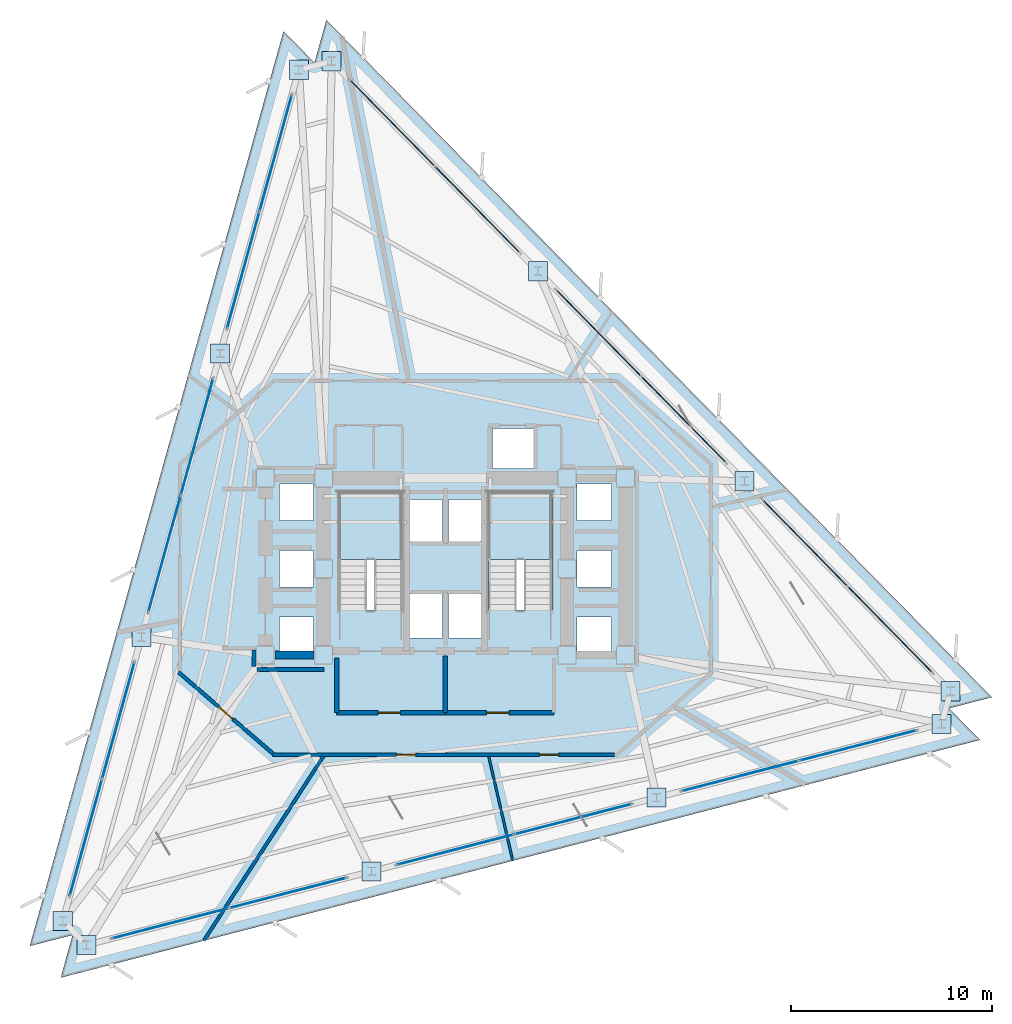
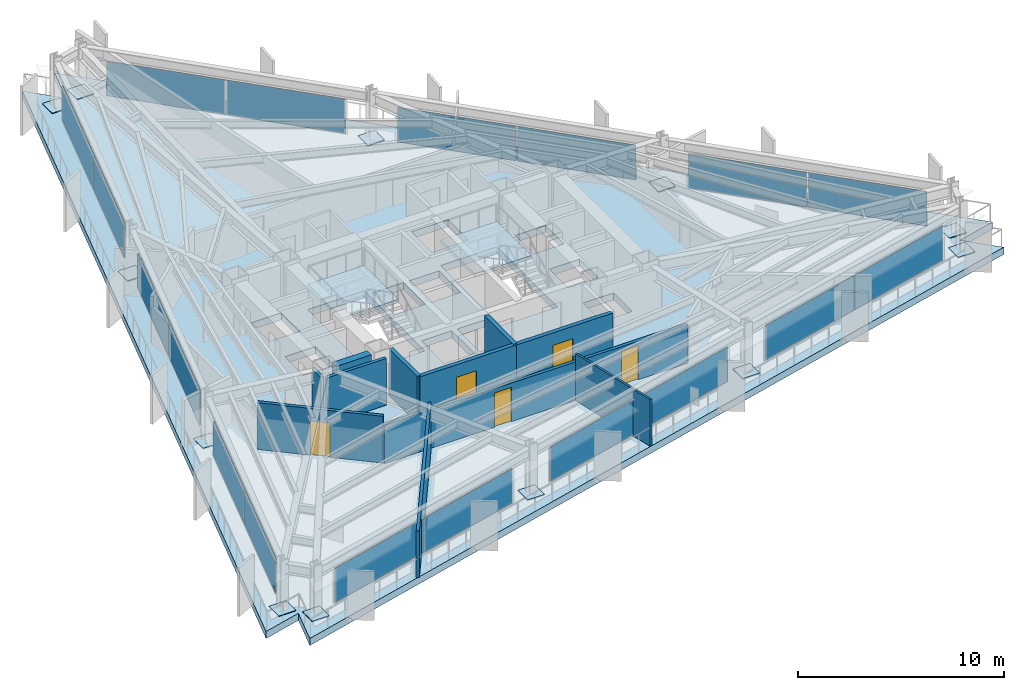
# One storey, part 6 of 11: 30 plates, 11 walls, 5 doors, 3 slabs, 5 openings, 11 elements without a shape of their own.
"""IFC4 building model written with IfcOpenShell, lengths in metres."""

import ifcopenshell
import ifcopenshell.guid

model = None  # the IFC model being written
_history = None  # IfcOwnerHistory: only IFC2X3 demands one
_inside = {}  # id of a spatial element -> (the spatial element, [elements in it])
_under = {}  # id of a project, library or spatial element -> (it, [spatial elements below it])
_declared = {}  # id of a project -> (the project, [libraries it declares])
_typed = {}  # id of a type object -> (the type object, [elements of that type])
_made_of = {}  # id of a material, layer set ... -> (it, [elements and type objects made of it])


def new_model(schema):
    """Start an empty IFC model of exactly this schema.

    Asked for "IFC4X3", IfcOpenShell would pick the latest addendum, in which some entities
    have other attributes; the version numbers below select the first issue.
    IFC2X3 requires an IfcOwnerHistory on every rooted entity: one is made here for all.
    """
    global model, _history
    if schema == "IFC4X3":
        model = ifcopenshell.file(schema_version=(4, 3, 0, 0))
    else:
        model = ifcopenshell.file(schema=schema)
    _inside.clear()
    _under.clear()
    _declared.clear()
    _typed.clear()
    _made_of.clear()
    _history = None
    if model.schema == "IFC2X3":
        org = make("IfcOrganization", Name="unknown")
        user = make(
            "IfcPersonAndOrganization",
            ThePerson=make("IfcPerson", FamilyName="unknown"),
            TheOrganization=org,
        )
        app = make(
            "IfcApplication",
            ApplicationDeveloper=org,
            Version="unknown",
            ApplicationFullName="unknown",
            ApplicationIdentifier="unknown",
        )
        _history = make(
            "IfcOwnerHistory",
            OwningUser=user,
            OwningApplication=app,
            ChangeAction="ADDED",
            CreationDate=0,
        )
    return model


def make(cls, **values):
    """One entity of the class cls with the attributes given. An attribute that is None is left unset."""
    return model.create_entity(
        cls, **{name: value for name, value in values.items() if value is not None}
    )


def rooted(cls, **values):
    """An entity with a GlobalId (a new one), such as an element, a storey or a relation."""
    return make(cls, GlobalId=ifcopenshell.guid.new(), OwnerHistory=_history, **values)


def si_unit(unit_type, name, prefix=None):
    """IfcSIUnit, for example si_unit("LENGTHUNIT", "METRE", prefix="MILLI")."""
    return make("IfcSIUnit", UnitType=unit_type, Prefix=prefix, Name=name)


def assignment(units):
    """IfcUnitAssignment: the units of a project."""
    return None if units is None else make("IfcUnitAssignment", Units=units)


def point(xyz):
    """IfcCartesianPoint."""
    return None if xyz is None else make("IfcCartesianPoint", Coordinates=xyz)


def direction(xyz):
    """IfcDirection."""
    return None if xyz is None else make("IfcDirection", DirectionRatios=xyz)


def frame(location, z_axis=None, x_axis=None):
    """IfcAxis2Placement3D, a coordinate frame: its origin and axes. An axis left out is left unset."""
    return make(
        "IfcAxis2Placement3D",
        Location=point(location),
        Axis=direction(z_axis),
        RefDirection=direction(x_axis),
    )


def frame_2d(location, x_axis=None):
    """IfcAxis2Placement2D, a coordinate frame in the plane: its origin and x axis."""
    return make(
        "IfcAxis2Placement2D", Location=point(location), RefDirection=direction(x_axis)
    )


def origin():
    """The frame at (0, 0, 0) with its axes left unset."""
    return frame((0.0, 0.0, 0.0))


def origin_2d():
    """The frame at (0, 0) in the plane with its x axis left unset."""
    return frame_2d((0.0, 0.0))


def place(relative_to, where):
    """IfcLocalPlacement: puts the frame where relative to a parent placement (None: the world)."""
    return make(
        "IfcLocalPlacement", PlacementRelTo=relative_to, RelativePlacement=where
    )


def context(
    kind, dimensions, precision=None, world=None, true_north=None, identifier=None
):
    """IfcGeometricRepresentationContext, for example the 3D "Model" context."""
    return make(
        "IfcGeometricRepresentationContext",
        ContextIdentifier=identifier,
        ContextType=kind,
        CoordinateSpaceDimension=dimensions,
        Precision=precision,
        WorldCoordinateSystem=world,
        TrueNorth=true_north,
    )


def subcontext(parent, identifier, kind, view, scale=None):
    """IfcGeometricRepresentationSubContext, for example "Body" below "Model"."""
    return make(
        "IfcGeometricRepresentationSubContext",
        ContextIdentifier=identifier,
        ContextType=kind,
        ParentContext=parent,
        TargetScale=scale,
        TargetView=view,
    )


def project(units=None, contexts=None):
    """IfcProject with its units and contexts."""
    return rooted(
        "IfcProject",
        Name="project",
        RepresentationContexts=contexts,
        UnitsInContext=assignment(units),
    )


def spatial(cls, under=None, at=None, **own):
    """A site, building, storey or space (cls), placed at a placement, below another one or the project."""
    s = rooted(cls, ObjectPlacement=at, **own)
    if under is not None:
        _under.setdefault(under.id(), (under, []))[1].append(s)
    return s


def polyline(points):
    """IfcPolyline through the points."""
    return make("IfcPolyline", Points=[point(p) for p in points])


def profile(cls, at=None, kind="AREA", **sizes):
    """A parametric profile (cls). Its sizes go by their IFC names, for example OverallWidth=200.0."""
    return make(cls, ProfileType=kind, Position=at, **sizes)


def rectangle(**sizes):
    """IfcRectangleProfileDef."""
    return profile("IfcRectangleProfileDef", **sizes)


def outline(outer, holes=None, kind="AREA"):
    """IfcArbitraryClosedProfileDef: a profile drawn as a closed curve; with holes, ...WithVoids."""
    if holes is None:
        return make("IfcArbitraryClosedProfileDef", ProfileType=kind, OuterCurve=outer)
    return make(
        "IfcArbitraryProfileDefWithVoids",
        ProfileType=kind,
        OuterCurve=outer,
        InnerCurves=holes,
    )


def extrude(swept, where, along, depth):
    """IfcExtrudedAreaSolid: the profile swept, set in the frame where, extruded along a direction by depth."""
    return make(
        "IfcExtrudedAreaSolid",
        SweptArea=swept,
        Position=where,
        ExtrudedDirection=direction(along),
        Depth=depth,
    )


def shape(context_of_items, identifier, shape_type, items):
    """IfcShapeRepresentation: the items that make up one representation, for example the "Body"."""
    return make(
        "IfcShapeRepresentation",
        ContextOfItems=context_of_items,
        RepresentationIdentifier=identifier,
        RepresentationType=shape_type,
        Items=items,
    )


def material(Name=None, Category=None):
    """IfcMaterial."""
    return make("IfcMaterial", Name=Name, Category=Category)


def layer(
    of_material, thickness, ventilated=None, Name=None, Category=None, Priority=None
):
    """IfcMaterialLayer: one layer of a wall or slab, of a material (None: an air gap)."""
    return make(
        "IfcMaterialLayer",
        Material=of_material,
        LayerThickness=thickness,
        IsVentilated=ventilated,
        Name=Name,
        Category=Category,
        Priority=Priority,
    )


def layer_set(layers, Name=None):
    """IfcMaterialLayerSet."""
    return make("IfcMaterialLayerSet", MaterialLayers=layers, LayerSetName=Name)


def made_of(thing, what):
    """Note that an element or type object is made of a material, layer set ...; save() writes the relation."""
    if what is not None:
        _made_of.setdefault(what.id(), (what, []))[1].append(thing)
    return thing


def type_object(cls, material=None, **own):
    """A type object (cls), such as IfcWallType, which elements share."""
    return made_of(rooted(cls, **own), material)


def element(
    cls,
    number,
    at=None,
    inside=None,
    cuts=None,
    type_object=None,
    material=None,
    context=None,
    identifier="Body",
    shape_type=None,
    held_by="IfcProductDefinitionShape",
    body=None,
    shapes=None,
    **own,
):
    """One element of the class cls, such as IfcWall. Its Tag is "e" and its number.

    at: its placement. inside: the storey or other place that contains it. cuts: it is an
    opening in that element (IfcRelVoidsElement). A single representation is given by context,
    identifier, shape_type and body (its items); several are given by shapes. held_by: the class
    of the entity that holds the representations. save() writes the other relations.
    """
    e = rooted(cls, Tag="e%d" % number, ObjectPlacement=at, **own)
    if body is not None:
        shapes = [shape(context, identifier, shape_type, body)]
    if shapes is not None:
        e.Representation = make(held_by, Representations=shapes)
    if inside is not None:
        _inside.setdefault(inside.id(), (inside, []))[1].append(e)
    if cuts is not None:
        rooted(
            "IfcRelVoidsElement", RelatingBuildingElement=cuts, RelatedOpeningElement=e
        )
    if type_object is not None:
        _typed.setdefault(type_object.id(), (type_object, []))[1].append(e)
    return made_of(e, material)


def fill(opening, filler):
    """IfcRelFillsElement: the door or window that sits in an opening."""
    return rooted(
        "IfcRelFillsElement",
        RelatingOpeningElement=opening,
        RelatedBuildingElement=filler,
    )


def aggregate(whole, parts):
    """IfcRelAggregates: a whole, such as a stair, and the parts it consists of."""
    return rooted("IfcRelAggregates", RelatingObject=whole, RelatedObjects=parts)


def save(model, path):
    """Write the relations noted so far, then the file.

    IfcRelAggregates (storeys below a building ...), IfcRelContainedInSpatialStructure (elements
    in a storey), IfcRelDefinesByType, IfcRelAssociatesMaterial and IfcRelDeclares: one each for
    every whole, place, type object, material and project.
    """
    for whole, parts in _under.values():
        aggregate(whole, parts)
    for where, things in _inside.values():
        rooted(
            "IfcRelContainedInSpatialStructure",
            RelatedElements=things,
            RelatingStructure=where,
        )
    for kind, things in _typed.values():
        rooted("IfcRelDefinesByType", RelatedObjects=things, RelatingType=kind)
    for what, things in _made_of.values():
        rooted("IfcRelAssociatesMaterial", RelatedObjects=things, RelatingMaterial=what)
    for by, libraries in _declared.values():
        rooted("IfcRelDeclares", RelatingContext=by, RelatedDefinitions=libraries)
    model.write(path)


model = new_model("IFC4")

# Units and contexts
model_context = context("Model", 3, precision=1e-05, world=origin(), true_north=direction((0.0, 1.0)))
body_context = subcontext(model_context, "Body", "Model", "MODEL_VIEW")
ifc_project = project(units=[si_unit("LENGTHUNIT", "METRE"), si_unit("AREAUNIT", "SQUARE_METRE"), si_unit("VOLUMEUNIT", "CUBIC_METRE"), si_unit("PLANEANGLEUNIT", "RADIAN"), si_unit("MASSUNIT", "GRAM", prefix="KILO")], contexts=[model_context])

# Site, building, storey
site_placement = place(None, origin())
site = spatial("IfcSite", under=ifc_project, at=site_placement, CompositionType="ELEMENT")
building_placement = place(site_placement, origin())
building = spatial("IfcBuilding", under=site, at=building_placement, Name="Rocaltana Carrier Exchange", CompositionType="ELEMENT")
storey_placement = place(building_placement, frame((0.0, 0.0, 76.47998046875)))
storey = spatial("IfcBuildingStorey", under=building, at=storey_placement, Name="L23", CompositionType="ELEMENT", Elevation=76.47998046875)

# Slab
ifc_material_1 = material(Name="Concrete C60/75", Category="concrete")
ifc_layer_1 = layer(ifc_material_1, 0.419921875)
ifc_layer_set_1 = layer_set([ifc_layer_1], Name="Concrete C60/75")
slab_type_1 = type_object("IfcSlabType", Name="Block Transfer Diaphragm Slab 420", PredefinedType="FLOOR", material=ifc_layer_set_1)
slab_1_placement = place(storey_placement, frame((0.0, 0.0, -0.419921875)))
element("IfcSlab", 1, at=slab_1_placement, inside=storey, type_object=slab_type_1, Name="L23 Structural Floor Slab", PredefinedType="FLOOR", context=body_context, shape_type="SweptSolid", body=[
    extrude(outline(polyline([(26.577880859375, -8.51220703125), (25.035888671875, -6.943115234375), (27.165771484375, -6.39208984375), (-5.9169921875, 27.273193359375), (-6.505126953125, 25.1533203125), (-8.047119140625, 26.722412109375), (-20.66064453125, -18.760986328125), (-18.53076171875, -18.210205078125), (-19.11865234375, -20.330078125), (26.577880859375, -8.51220703125)]), holes=[polyline([(-5.300048828125, -2.06005859375), (-2.139892578125, -2.06005859375), (-2.139892578125, 3.800048828125), (-5.300048828125, 3.800048828125), (-5.300048828125, -2.06005859375)]), polyline([(2.139892578125, -2.06005859375), (5.300048828125, -2.06005859375), (5.300048828125, 3.800048828125), (2.139892578125, 3.800048828125), (2.139892578125, -2.06005859375)]), polyline([(-1.85009765625, -3.449951171875), (-0.14990234375, -3.449951171875), (-0.14990234375, -1.25), (-1.85009765625, -1.25), (-1.85009765625, -3.449951171875)]), polyline([(0.14990234375, -3.449951171875), (1.85009765625, -3.449951171875), (1.85009765625, -1.25), (0.14990234375, -1.25), (0.14990234375, -3.449951171875)]), polyline([(2.35009765625, 4.97998046875), (4.39990234375, 4.97998046875), (4.39990234375, 6.97998046875), (2.35009765625, 6.97998046875), (2.35009765625, 4.97998046875)]), polyline([(-1.85009765625, 1.35009765625), (-0.14990234375, 1.35009765625), (-0.14990234375, 3.449951171875), (-1.85009765625, 3.449951171875), (-1.85009765625, 1.35009765625)]), polyline([(0.14990234375, 1.35009765625), (1.85009765625, 1.35009765625), (1.85009765625, 3.449951171875), (0.14990234375, 3.449951171875), (0.14990234375, 1.35009765625)]), polyline([(-8.25, -4.199951171875), (-6.550048828125, -4.199951171875), (-6.550048828125, -2.39990234375), (-8.25, -2.39990234375), (-8.25, -4.199951171875)]), polyline([(-8.25, -0.89990234375), (-6.550048828125, -0.89990234375), (-6.550048828125, 0.89990234375), (-8.25, 0.89990234375), (-8.25, -0.89990234375)]), polyline([(-8.25, 2.39990234375), (-6.550048828125, 2.39990234375), (-6.550048828125, 4.199951171875), (-8.25, 4.199951171875), (-8.25, 2.39990234375)]), polyline([(6.550048828125, -4.199951171875), (8.25, -4.199951171875), (8.25, -2.39990234375), (6.550048828125, -2.39990234375), (6.550048828125, -4.199951171875)]), polyline([(6.550048828125, -0.89990234375), (8.25, -0.89990234375), (8.25, 0.89990234375), (6.550048828125, 0.89990234375), (6.550048828125, -0.89990234375)]), polyline([(6.550048828125, 2.39990234375), (8.25, 2.39990234375), (8.25, 4.199951171875), (6.550048828125, 4.199951171875), (6.550048828125, 2.39990234375)])]), origin(), (0.0, 0.0, 1.0), 0.419921875),
])

# Curtain wall, plates
ifc_material_2 = material(Name="Aluminium 6063-T6", Category="aluminium")
ifc_layer_2 = layer(ifc_material_2, 0.1650390625)
ifc_layer_set_2 = layer_set([ifc_layer_2], Name="Aluminium 6063-T6")
curtain_wall_type = type_object("IfcCurtainWallType", Name="Lower-Mid Stepped Curtain Wall CW-02", PredefinedType="NOTDEFINED", material=ifc_layer_set_2)
curtain_wall_1_placement = place(storey_placement, origin())
curtain_wall_1 = element("IfcCurtainWall", 2, at=curtain_wall_1_placement, inside=storey, type_object=curtain_wall_type, Name="L23 CW-02 Run CW-L23-F1S1", PredefinedType="NOTDEFINED")
ifc_material_3 = material(Name="Tempered Laminated Glass", Category="glass")
ifc_layer_3 = layer(ifc_material_3, 0.0419921875)
ifc_layer_set_3 = layer_set([ifc_layer_3], Name="Tempered Laminated Glass")
plate_type_1 = type_object("IfcPlateType", Name="CW-02 Stone-Insulated Vision Panel", PredefinedType="CURTAIN_PANEL", material=ifc_layer_set_3)
plate_1_placement = place(storey_placement, frame((22.10400390625, -3.02490234375, 0.06494140625), z_axis=(0.0, 0.0, 1.0), x_axis=(-0.700915045542, 0.713244767898, 0.0)))
plate_1 = element("IfcPlate", 3, at=plate_1_placement, type_object=plate_type_1, Name="CW-02 panel 1.1", PredefinedType="CURTAIN_PANEL", context=body_context, shape_type="SweptSolid", body=[
    extrude(rectangle(XDim=5.96923828125, YDim=0.0419921875, at=origin_2d()), origin(), (0.0, 0.0, 1.0), 2.0380859375),
])
plate_2_placement = place(storey_placement, frame((17.874755859375, 1.279052734375, 0.06494140625), z_axis=(0.0, 0.0, 1.0), x_axis=(-0.700915045542, 0.713244767898, 0.0)))
plate_2 = element("IfcPlate", 4, at=plate_2_placement, type_object=plate_type_1, Name="CW-02 panel 2.1", PredefinedType="CURTAIN_PANEL", context=body_context, shape_type="SweptSolid", body=[
    extrude(rectangle(XDim=5.96923828125, YDim=0.0419921875, at=origin_2d()), origin(), (0.0, 0.0, 1.0), 2.0380859375),
])
aggregate(curtain_wall_1, [plate_1, plate_2])

curtain_wall_2_placement = place(storey_placement, origin())
curtain_wall_2 = element("IfcCurtainWall", 5, at=curtain_wall_2_placement, inside=storey, type_object=curtain_wall_type, Name="L23 CW-02 Run CW-L23-F1S2", PredefinedType="NOTDEFINED")
plate_3_placement = place(storey_placement, frame((11.847412109375, 7.412353515625, 0.06494140625), z_axis=(0.0, 0.0, 1.0), x_axis=(-0.700915118017, 0.713244696676, 0.0)))
plate_3 = element("IfcPlate", 6, at=plate_3_placement, type_object=plate_type_1, Name="CW-02 panel 1.1", PredefinedType="CURTAIN_PANEL", context=body_context, shape_type="SweptSolid", body=[
    extrude(rectangle(XDim=5.96923828125, YDim=0.0419921875, at=origin_2d()), origin(), (0.0, 0.0, 1.0), 2.0380859375),
])
plate_4_placement = place(storey_placement, frame((7.617919921875, 11.71630859375, 0.06494140625), z_axis=(0.0, 0.0, 1.0), x_axis=(-0.700915118017, 0.713244696676, 0.0)))
plate_4 = element("IfcPlate", 7, at=plate_4_placement, type_object=plate_type_1, Name="CW-02 panel 2.1", PredefinedType="CURTAIN_PANEL", context=body_context, shape_type="SweptSolid", body=[
    extrude(rectangle(XDim=5.96923828125, YDim=0.0419921875, at=origin_2d()), origin(), (0.0, 0.0, 1.0), 2.0380859375),
])
aggregate(curtain_wall_2, [plate_3, plate_4])

curtain_wall_3_placement = place(storey_placement, origin())
curtain_wall_3 = element("IfcCurtainWall", 8, at=curtain_wall_3_placement, inside=storey, type_object=curtain_wall_type, Name="L23 CW-02 Run CW-L23-F1S3", PredefinedType="NOTDEFINED")
plate_5_placement = place(storey_placement, frame((1.5908203125, 17.849609375, 0.06494140625), z_axis=(0.0, 0.0, 1.0), x_axis=(-0.700915045542, 0.713244767898, 0.0)))
plate_5 = element("IfcPlate", 9, at=plate_5_placement, type_object=plate_type_1, Name="CW-02 panel 1.1", PredefinedType="CURTAIN_PANEL", context=body_context, shape_type="SweptSolid", body=[
    extrude(rectangle(XDim=5.96923828125, YDim=0.0419921875, at=origin_2d()), origin(), (0.0, 0.0, 1.0), 2.0380859375),
])
plate_6_placement = place(storey_placement, frame((-2.638671875, 22.153564453125, 0.06494140625), z_axis=(0.0, 0.0, 1.0), x_axis=(-0.700915045542, 0.713244767898, 0.0)))
plate_6 = element("IfcPlate", 10, at=plate_6_placement, type_object=plate_type_1, Name="CW-02 panel 2.1", PredefinedType="CURTAIN_PANEL", context=body_context, shape_type="SweptSolid", body=[
    extrude(rectangle(XDim=5.96923828125, YDim=0.0419921875, at=origin_2d()), origin(), (0.0, 0.0, 1.0), 2.0380859375),
])
aggregate(curtain_wall_3, [plate_5, plate_6])

curtain_wall_4_placement = place(storey_placement, origin())
curtain_wall_4 = element("IfcCurtainWall", 11, at=curtain_wall_4_placement, inside=storey, type_object=curtain_wall_type, Name="L23 CW-02 Run CW-L23-F2S1", PredefinedType="NOTDEFINED")
plate_7_placement = place(storey_placement, frame((-8.432373046875, 20.655029296875, 0.06494140625), z_axis=(0.0, 0.0, 1.0), x_axis=(-0.267245546918, -0.96362846453, 0.0)))
plate_7 = element("IfcPlate", 12, at=plate_7_placement, type_object=plate_type_1, Name="CW-02 panel 1.1", PredefinedType="CURTAIN_PANEL", context=body_context, shape_type="SweptSolid", body=[
    extrude(rectangle(XDim=5.96923828125, YDim=0.0419921875, at=origin_2d()), origin(), (0.0, 0.0, 1.0), 2.0380859375),
])
plate_8_placement = place(storey_placement, frame((-10.045166015625, 14.84033203125, 0.06494140625), z_axis=(0.0, 0.0, 1.0), x_axis=(-0.267245546918, -0.96362846453, 0.0)))
plate_8 = element("IfcPlate", 13, at=plate_8_placement, type_object=plate_type_1, Name="CW-02 panel 2.1", PredefinedType="CURTAIN_PANEL", context=body_context, shape_type="SweptSolid", body=[
    extrude(rectangle(XDim=5.96923828125, YDim=0.0419921875, at=origin_2d()), origin(), (0.0, 0.0, 1.0), 2.0380859375),
])
aggregate(curtain_wall_4, [plate_7, plate_8])

curtain_wall_5_placement = place(storey_placement, origin())
curtain_wall_5 = element("IfcCurtainWall", 14, at=curtain_wall_5_placement, inside=storey, type_object=curtain_wall_type, Name="L23 CW-02 Run CW-L23-F2S2", PredefinedType="NOTDEFINED")
plate_9_placement = place(storey_placement, frame((-12.343017578125, 6.553955078125, 0.06494140625), z_axis=(0.0, 0.0, 1.0), x_axis=(-0.267237893807, -0.963630586954, 0.0)))
plate_9 = element("IfcPlate", 15, at=plate_9_placement, type_object=plate_type_1, Name="CW-02 panel 1.1", PredefinedType="CURTAIN_PANEL", context=body_context, shape_type="SweptSolid", body=[
    extrude(rectangle(XDim=5.96923828125, YDim=0.0419921875, at=origin_2d()), origin(), (0.0, 0.0, 1.0), 2.0380859375),
])
plate_10_placement = place(storey_placement, frame((-13.95556640625, 0.7392578125, 0.06494140625), z_axis=(0.0, 0.0, 1.0), x_axis=(-0.267237893807, -0.963630586954, 0.0)))
plate_10 = element("IfcPlate", 16, at=plate_10_placement, type_object=plate_type_1, Name="CW-02 panel 2.1", PredefinedType="CURTAIN_PANEL", context=body_context, shape_type="SweptSolid", body=[
    extrude(rectangle(XDim=5.96923828125, YDim=0.0419921875, at=origin_2d()), origin(), (0.0, 0.0, 1.0), 2.0380859375),
])
aggregate(curtain_wall_5, [plate_9, plate_10])

curtain_wall_6_placement = place(storey_placement, origin())
curtain_wall_6 = element("IfcCurtainWall", 17, at=curtain_wall_6_placement, inside=storey, type_object=curtain_wall_type, Name="L23 CW-02 Run CW-L23-F2S3", PredefinedType="NOTDEFINED")
plate_11_placement = place(storey_placement, frame((-16.253662109375, -7.547119140625, 0.06494140625), z_axis=(0.0, 0.0, 1.0), x_axis=(-0.267243424491, -0.963629053146, 0.0)))
plate_11 = element("IfcPlate", 18, at=plate_11_placement, type_object=plate_type_1, Name="CW-02 panel 1.1", PredefinedType="CURTAIN_PANEL", context=body_context, shape_type="SweptSolid", body=[
    extrude(rectangle(XDim=5.96923828125, YDim=0.0419921875, at=origin_2d()), origin(), (0.0, 0.0, 1.0), 2.0380859375),
])
plate_12_placement = place(storey_placement, frame((-17.8662109375, -13.36181640625, 0.06494140625), z_axis=(0.0, 0.0, 1.0), x_axis=(-0.267243424491, -0.963629053146, 0.0)))
plate_12 = element("IfcPlate", 19, at=plate_12_placement, type_object=plate_type_1, Name="CW-02 panel 2.1", PredefinedType="CURTAIN_PANEL", context=body_context, shape_type="SweptSolid", body=[
    extrude(rectangle(XDim=5.96923828125, YDim=0.0419921875, at=origin_2d()), origin(), (0.0, 0.0, 1.0), 2.0380859375),
])
aggregate(curtain_wall_6, [plate_11, plate_12])

curtain_wall_7_placement = place(storey_placement, origin())
curtain_wall_7 = element("IfcCurtainWall", 20, at=curtain_wall_7_placement, inside=storey, type_object=curtain_wall_type, Name="L23 CW-02 Run CW-L23-F3S1", PredefinedType="NOTDEFINED")
plate_13_placement = place(storey_placement, frame((-13.671630859375, -17.63037109375, 0.06494140625), z_axis=(0.0, 0.0, 1.0), x_axis=(0.968148220548, 0.250377760692, 0.0)))
plate_13 = element("IfcPlate", 21, at=plate_13_placement, type_object=plate_type_1, Name="CW-02 panel 1.1", PredefinedType="CURTAIN_PANEL", context=body_context, shape_type="SweptSolid", body=[
    extrude(rectangle(XDim=5.96923828125, YDim=0.0419921875, at=origin_2d()), origin(), (0.0, 0.0, 1.0), 2.0380859375),
])
plate_14_placement = place(storey_placement, frame((-7.82958984375, -16.119384765625, 0.06494140625), z_axis=(0.0, 0.0, 1.0), x_axis=(0.968148220548, 0.250377760692, 0.0)))
plate_14 = element("IfcPlate", 22, at=plate_14_placement, type_object=plate_type_1, Name="CW-02 panel 2.1", PredefinedType="CURTAIN_PANEL", context=body_context, shape_type="SweptSolid", body=[
    extrude(rectangle(XDim=5.96923828125, YDim=0.0419921875, at=origin_2d()), origin(), (0.0, 0.0, 1.0), 2.0380859375),
])
aggregate(curtain_wall_7, [plate_13, plate_14])

curtain_wall_8_placement = place(storey_placement, origin())
curtain_wall_8 = element("IfcCurtainWall", 23, at=curtain_wall_8_placement, inside=storey, type_object=curtain_wall_type, Name="L23 CW-02 Run CW-L23-F3S2", PredefinedType="NOTDEFINED")
plate_15_placement = place(storey_placement, frame((0.49560546875, -13.96630859375, 0.06494140625), z_axis=(0.0, 0.0, 1.0), x_axis=(0.968148220548, 0.250377760692, 0.0)))
plate_15 = element("IfcPlate", 24, at=plate_15_placement, type_object=plate_type_1, Name="CW-02 panel 1.1", PredefinedType="CURTAIN_PANEL", context=body_context, shape_type="SweptSolid", body=[
    extrude(rectangle(XDim=5.96923828125, YDim=0.0419921875, at=origin_2d()), origin(), (0.0, 0.0, 1.0), 2.0380859375),
])
plate_16_placement = place(storey_placement, frame((6.337646484375, -12.45556640625, 0.06494140625), z_axis=(0.0, 0.0, 1.0), x_axis=(0.968148220548, 0.250377760692, 0.0)))
plate_16 = element("IfcPlate", 25, at=plate_16_placement, type_object=plate_type_1, Name="CW-02 panel 2.1", PredefinedType="CURTAIN_PANEL", context=body_context, shape_type="SweptSolid", body=[
    extrude(rectangle(XDim=5.96923828125, YDim=0.0419921875, at=origin_2d()), origin(), (0.0, 0.0, 1.0), 2.0380859375),
])
aggregate(curtain_wall_8, [plate_15, plate_16])

curtain_wall_9_placement = place(storey_placement, origin())
curtain_wall_9 = element("IfcCurtainWall", 26, at=curtain_wall_9_placement, inside=storey, type_object=curtain_wall_type, Name="L23 CW-02 Run CW-L23-F3S3", PredefinedType="NOTDEFINED")
plate_17_placement = place(storey_placement, frame((14.662841796875, -10.302490234375, 0.06494140625), z_axis=(0.0, 0.0, 1.0), x_axis=(0.96815021836, 0.250370035526, 0.0)))
plate_17 = element("IfcPlate", 27, at=plate_17_placement, type_object=plate_type_1, Name="CW-02 panel 1.1", PredefinedType="CURTAIN_PANEL", context=body_context, shape_type="SweptSolid", body=[
    extrude(rectangle(XDim=5.96923828125, YDim=0.0419921875, at=origin_2d()), origin(), (0.0, 0.0, 1.0), 2.0380859375),
])
plate_18_placement = place(storey_placement, frame((20.5048828125, -8.791748046875, 0.06494140625), z_axis=(0.0, 0.0, 1.0), x_axis=(0.96815021836, 0.250370035526, 0.0)))
plate_18 = element("IfcPlate", 28, at=plate_18_placement, type_object=plate_type_1, Name="CW-02 panel 2.1", PredefinedType="CURTAIN_PANEL", context=body_context, shape_type="SweptSolid", body=[
    extrude(rectangle(XDim=5.96923828125, YDim=0.0419921875, at=origin_2d()), origin(), (0.0, 0.0, 1.0), 2.0380859375),
])
aggregate(curtain_wall_9, [plate_17, plate_18])

# Plates
ifc_material_4 = material(Name="Steel S460", Category="steel")
ifc_layer_4 = layer(ifc_material_4, 0.0400390625)
ifc_layer_set_4 = layer_set([ifc_layer_4], Name="Steel S460")
plate_type_2 = type_object("IfcPlateType", Name="Column Base Bearing Plate 950x950x40", PredefinedType="SHEET", material=ifc_layer_set_4)
for number, where, z_axis, x_axis, name in (
    (29, (25.11767578125, -6.091552734375, 0.0), (0.0, 0.0, 1.0), (1.0, 0.0, 0.0), "L23 Block Transfer Bearing Plate TC01"),
    (30, (14.861083984375, 4.345703125, 0.0), (0.0, 0.0, 1.0), (1.0, 0.0, 0.0), "L23 Block Transfer Bearing Plate TC02"),
    (31, (4.6044921875, 14.782958984375, 0.0), (0.0, 0.0, 1.0), (1.0, 0.0, 0.0), "L23 Block Transfer Bearing Plate TC03"),
    (32, (-5.652099609375, 25.22021484375, 0.0), (0.0, 0.0, 1.0), (1.0, 0.0, 0.0), "L23 Block Transfer Bearing Plate TC04"),
    (33, (-7.283447265625, 24.79833984375, 0.0), (0.0, 0.0, 1.0), (1.0, 0.0, 0.0), "L23 Block Transfer Bearing Plate TC05"),
    (34, (-11.194091796875, 10.697265625, 0.0), (0.0, 0.0, 1.0), (1.0, 0.0, 0.0), "L23 Block Transfer Bearing Plate TC06"),
    (35, (-15.1044921875, -3.40380859375, 0.0), (0.0, 0.0, 1.0), (1.0, 0.0, 0.0), "L23 Block Transfer Bearing Plate TC07"),
    (36, (-19.01513671875, -17.505126953125, 0.0), (0.0, 0.0, 1.0), (1.0, 0.0, 0.0), "L23 Block Transfer Bearing Plate TC08"),
    (37, (-17.834228515625, -18.706787109375, 0.0), (0.0, 0.0, 1.0), (1.0, 0.0, 0.0), "L23 Block Transfer Bearing Plate TC09"),
    (38, (-3.6669921875, -15.04296875, 0.0), (0.0, 0.0, 1.0), (1.0, 0.0, 0.0), "L23 Block Transfer Bearing Plate TC10"),
    (39, (10.500244140625, -11.37890625, 0.0), (0.0, 0.0, 1.0), (1.0, 0.0, 0.0), "L23 Block Transfer Bearing Plate TC11"),
    (40, (24.66748046875, -7.715087890625, 0.0), (0.0, 0.0, 1.0), (1.0, 0.0, 0.0), "L23 Block Transfer Bearing Plate TC12"),
):
    element("IfcPlate", number, at=place(storey_placement, frame(where, z_axis=z_axis, x_axis=x_axis)), inside=storey, type_object=plate_type_2, Name=name, PredefinedType="SHEET", context=body_context, shape_type="SweptSolid", body=[
        extrude(rectangle(XDim=0.949951171875, YDim=0.949951171875, at=origin_2d()), origin(), (0.0, 0.0, 1.0), 0.0400390625),
    ])

# Stair, slab
ifc_material_5 = material(Name="Precast concrete C45/55", Category="concrete")
stair_type = type_object("IfcStairType", Name="Standard Dog-Leg Stair 160", PredefinedType="HALF_TURN_STAIR", material=ifc_material_5)
stair_1_placement = place(storey_placement, origin())
stair_1 = element("IfcStair", 41, at=stair_1_placement, inside=storey, type_object=stair_type, Name="L23 Core West Exit Stair ST-1", PredefinedType="HALF_TURN_STAIR")
ifc_material_6 = material(Name="Precast concrete C45/55", Category="concrete")
ifc_layer_5 = layer(ifc_material_6, 0.199951171875)
ifc_layer_set_5 = layer_set([ifc_layer_5], Name="Precast concrete C45/55")
slab_type_2 = type_object("IfcSlabType", Name="Precast Stair Half-Landing 200", PredefinedType="LANDING", material=ifc_layer_set_5)
slab_2_placement = place(storey_placement, frame((0.0, 0.0, 1.320068359375)))
slab_2 = element("IfcSlab", 42, at=slab_2_placement, type_object=slab_type_2, Name="ST-1 landing 1", PredefinedType="LANDING", context=body_context, shape_type="SweptSolid", body=[
    extrude(outline(polyline([(-2.139892578125, 0.4599609375), (-2.139892578125, 3.800048828125), (-5.300048828125, 3.800048828125), (-5.300048828125, 0.4599609375), (-2.139892578125, 0.4599609375)])), origin(), (0.0, 0.0, 1.0), 0.199951171875),
])
aggregate(stair_1, [slab_2])

stair_2_placement = place(storey_placement, origin())
stair_2 = element("IfcStair", 43, at=stair_2_placement, inside=storey, type_object=stair_type, Name="L23 Core East Exit Stair ST-2", PredefinedType="HALF_TURN_STAIR")
slab_3_placement = place(storey_placement, frame((0.0, 0.0, 1.320068359375)))
slab_3 = element("IfcSlab", 44, at=slab_3_placement, type_object=slab_type_2, Name="ST-2 landing 1", PredefinedType="LANDING", context=body_context, shape_type="SweptSolid", body=[
    extrude(outline(polyline([(5.300048828125, 0.4599609375), (5.300048828125, 3.800048828125), (2.139892578125, 3.800048828125), (2.139892578125, 0.4599609375), (5.300048828125, 0.4599609375)])), origin(), (0.0, 0.0, 1.0), 0.199951171875),
])
aggregate(stair_2, [slab_3])

# Walls
ifc_material_7 = material(Name="Double Acoustic Gypsum Partition", Category="gypsum")
ifc_layer_6 = layer(ifc_material_7, 0.159912109375)
ifc_layer_set_6 = layer_set([ifc_layer_6], Name="Double Acoustic Gypsum Partition")
wall_type_1 = type_object("IfcWallType", Name="Acoustic Studio Partition 160 EI60", PredefinedType="PARTITIONING", material=ifc_layer_set_6)
wall_1_placement = place(storey_placement, frame((-6.05908203125, -9.330078125, 0.0), z_axis=(0.0, 0.0, 1.0), x_axis=(-0.544635087887, -0.838673131227, 0.0)))
element("IfcWall", 45, at=wall_1_placement, inside=storey, type_object=wall_type_1, Name="L23 Suite Divider Wall D2", PredefinedType="PARTITIONING", context=body_context, shape_type="SweptSolid", body=[
    extrude(rectangle(XDim=10.908447265625, YDim=0.159912109375, at=frame_2d((5.4541015625, 0.0))), origin(), (0.0, 0.0, 1.0), 2.762939453125),
])
ifc_material_8 = material(Name="Concrete C50/60", Category="concrete")
ifc_layer_7 = layer(ifc_material_8, 0.39990234375)
ifc_layer_set_7 = layer_set([ifc_layer_7], Name="Concrete C50/60")
wall_type_2 = type_object("IfcWallType", Name="Core Internal Shear Wall 400", PredefinedType="SHEAR", material=ifc_layer_set_7)
wall_2_placement = place(storey_placement, frame((-8.47509765625, -4.300048828125, 0.0), z_axis=(0.0, 0.0, 1.0), x_axis=(1.0, 0.0, 0.0)))
element("IfcWall", 46, at=wall_2_placement, inside=storey, type_object=wall_type_2, Name="L23 Core Shear Wall CW-WWS", PredefinedType="SHEAR", context=body_context, shape_type="SweptSolid", body=[
    extrude(rectangle(XDim=1.9501953125, YDim=0.39990234375, at=frame_2d((0.97509765625, 0.0))), origin(), (0.0, 0.0, 1.0), 2.7880859375),
])

# Wall, openings, doors
ifc_material_9 = material(Name="Gypsum & Steel Stud Partition", Category="steel")
ifc_layer_8 = layer(ifc_material_9, 0.179931640625)
ifc_layer_set_8 = layer_set([ifc_layer_8], Name="Gypsum & Steel Stud Partition")
wall_type_3 = type_object("IfcWallType", Name="Corridor Fire Partition 180 EI60", PredefinedType="PARTITIONING", material=ifc_layer_set_8)
wall_3_placement = place(storey_placement, frame((8.409912109375, -9.25, 0.0), z_axis=(0.0, 0.0, 1.0), x_axis=(-1.0, 0.0, 0.0)))
wall_3 = element("IfcWall", 47, at=wall_3_placement, inside=storey, type_object=wall_type_3, Name="L23 Corridor Partition 5", PredefinedType="PARTITIONING", context=body_context, shape_type="SweptSolid", body=[
    extrude(rectangle(XDim=17.0, YDim=0.179931640625, at=frame_2d((8.5, 0.0))), origin(), (0.0, 0.0, 1.0), 2.277099609375),
])
opening_1_placement = place(wall_3_placement, frame((9.88818359375, 0.0, 0.0)))
opening_1 = element("IfcOpeningElement", 48, at=opening_1_placement, cuts=wall_3, Name="Opening D-RM098", PredefinedType="OPENING", context=body_context, shape_type="SweptSolid", body=[
    extrude(rectangle(XDim=0.9599609375, YDim=2.02001953125, at=frame_2d((0.47998046875, 1.010009765625))), frame((0.0, 0.099853515625, 0.0), z_axis=(0.0, -1.0, 0.0), x_axis=(1.0, 0.0, 0.0)), (0.0, 0.0, 1.0), 0.199951171875),
])
opening_2_placement = place(wall_3_placement, frame((2.777099609375, 0.0, 0.0)))
opening_2 = element("IfcOpeningElement", 49, at=opening_2_placement, cuts=wall_3, Name="Opening D-RM098", PredefinedType="OPENING", context=body_context, shape_type="SweptSolid", body=[
    extrude(rectangle(XDim=0.9599609375, YDim=2.02001953125, at=frame_2d((0.47998046875, 1.010009765625))), frame((0.0, 0.099853515625, 0.0), z_axis=(0.0, -1.0, 0.0), x_axis=(1.0, 0.0, 0.0)), (0.0, 0.0, 1.0), 0.199951171875),
])
ifc_material_10 = material(Name="Engineered Hardwood Timber", Category="wood")
door_type_1 = type_object("IfcDoorType", Name="Workspace Single Door 960x2020", OperationType="NOTDEFINED", PredefinedType="DOOR", material=ifc_material_10)
door_1_placement = place(opening_1_placement, origin())
door_1 = element("IfcDoor", 50, at=door_1_placement, inside=storey, type_object=door_type_1, Name="L23 Incident Briefing Room Entrance Door", OperationType="SINGLE_SWING_RIGHT", OverallHeight=2.02001953125, OverallWidth=0.9599609375, PredefinedType="DOOR", context=body_context, shape_type="SweptSolid", body=[
    extrude(rectangle(XDim=0.9599609375, YDim=2.02001953125, at=frame_2d((0.47998046875, 1.010009765625))), frame((0.0, 0.02490234375, 0.0), z_axis=(0.0, -1.0, 0.0), x_axis=(1.0, 0.0, 0.0)), (0.0, 0.0, 1.0), 0.050048828125),
])
fill(opening_1, door_1)
door_2_placement = place(opening_2_placement, origin())
door_2 = element("IfcDoor", 51, at=door_2_placement, inside=storey, type_object=door_type_1, Name="L23 Peering Conference Room Entrance Door", OperationType="SINGLE_SWING_LEFT", OverallHeight=2.02001953125, OverallWidth=0.9599609375, PredefinedType="DOOR", context=body_context, shape_type="SweptSolid", body=[
    extrude(rectangle(XDim=0.9599609375, YDim=2.02001953125, at=frame_2d((0.47998046875, 1.010009765625))), frame((0.0, 0.02490234375, 0.0), z_axis=(0.0, -1.0, 0.0), x_axis=(1.0, 0.0, 0.0)), (0.0, 0.0, 1.0), 0.050048828125),
])
fill(opening_2, door_2)

# Wall, opening, door
wall_4_placement = place(storey_placement, frame((-8.568115234375, -9.191162109375, 0.0), z_axis=(0.0, 0.0, 1.0), x_axis=(-0.757556899173, 0.652769135694, 0.0)))
wall_4 = element("IfcWall", 52, at=wall_4_placement, inside=storey, type_object=wall_type_3, Name="L23 Corridor Partition 6", PredefinedType="PARTITIONING", context=body_context, shape_type="SweptSolid", body=[
    extrude(rectangle(XDim=6.204345703125, YDim=0.179931640625, at=frame_2d((3.10205078125, 0.0))), origin(), (0.0, 0.0, 1.0), 2.762939453125),
])
opening_3_placement = place(wall_4_placement, frame((2.6220703125, 0.0, 0.0)))
opening_3 = element("IfcOpeningElement", 53, at=opening_3_placement, cuts=wall_4, Name="Opening D-RM098", PredefinedType="OPENING", context=body_context, shape_type="SweptSolid", body=[
    extrude(rectangle(XDim=0.9599609375, YDim=2.02001953125, at=frame_2d((0.47998046875, 1.010009765625))), frame((0.0, 0.099853515625, 0.0), z_axis=(0.0, -1.0, 0.0), x_axis=(1.0, 0.0, 0.0)), (0.0, 0.0, 1.0), 0.199951171875),
])
door_3_placement = place(opening_3_placement, origin())
door_3 = element("IfcDoor", 54, at=door_3_placement, inside=storey, type_object=door_type_1, Name="L23 Peering Conference Room Entrance Door", OperationType="SINGLE_SWING_LEFT", OverallHeight=2.02001953125, OverallWidth=0.9599609375, PredefinedType="DOOR", context=body_context, shape_type="SweptSolid", body=[
    extrude(rectangle(XDim=0.9599609375, YDim=2.02001953125, at=frame_2d((0.47998046875, 1.010009765625))), frame((0.0, 0.02490234375, 0.0), z_axis=(0.0, -1.0, 0.0), x_axis=(1.0, 0.0, 0.0)), (0.0, 0.0, 1.0), 0.050048828125),
])
fill(opening_3, door_3)

# Walls
wall_5_placement = place(storey_placement, frame((-9.510009765625, -4.050048828125, 0.0), z_axis=(0.0, 0.0, 1.0), x_axis=(0.0, -1.0, 0.0)))
element("IfcWall", 55, at=wall_5_placement, inside=storey, type_object=wall_type_3, Name="L23 Corridor Partition 12", PredefinedType="PARTITIONING", context=body_context, shape_type="SweptSolid", body=[
    extrude(rectangle(XDim=0.820068359375, YDim=0.179931640625, at=frame_2d((0.41015625, 0.0))), origin(), (0.0, 0.0, 1.0), 2.762939453125),
])
wall_6_placement = place(storey_placement, frame((-9.3701171875, -5.010009765625, 0.0), z_axis=(0.0, 0.0, 1.0), x_axis=(1.0, 0.0, 0.0)))
element("IfcWall", 56, at=wall_6_placement, inside=storey, type_object=wall_type_3, Name="L23 Corridor Partition 13", PredefinedType="PARTITIONING", context=body_context, shape_type="SweptSolid", body=[
    extrude(rectangle(XDim=3.340087890625, YDim=0.179931640625, at=frame_2d((1.669921875, 0.0))), origin(), (0.0, 0.0, 1.0), 2.762939453125),
])
ifc_material_11 = material(Name="Aluminium 6063-T6 & Acoustic Glass", Category="aluminium")
ifc_layer_9 = layer(ifc_material_11, 0.114990234375)
ifc_layer_set_9 = layer_set([ifc_layer_9], Name="Aluminium 6063-T6 & Acoustic Glass")
wall_type_4 = type_object("IfcWallType", Name="Demountable Glazed Lab Partition 115", PredefinedType="MOVABLE", material=ifc_layer_set_9)
wall_7_placement = place(storey_placement, frame((2.154052734375, -9.330078125, 0.0), z_axis=(0.0, 0.0, 1.0), x_axis=(0.22493330832, -0.974374161607, 0.0)))
element("IfcWall", 57, at=wall_7_placement, inside=storey, type_object=wall_type_4, Name="L23 Suite Divider Wall D3", PredefinedType="MOVABLE", context=body_context, shape_type="SweptSolid", body=[
    extrude(rectangle(XDim=5.315185546875, YDim=0.114990234375, at=frame_2d((2.65771484375, 0.0))), origin(), (0.0, 0.0, 1.0), 2.762939453125),
])
ifc_material_12 = material(Name="Autoclaved Aerated Concrete C30/37", Category="concrete")
ifc_layer_10 = layer(ifc_material_12, 0.219970703125)
ifc_layer_set_10 = layer_set([ifc_layer_10], Name="Autoclaved Aerated Concrete C30/37")
wall_type_5 = type_object("IfcWallType", Name="Firefighting Lobby Wall 220 EI120", PredefinedType="PARTITIONING", material=ifc_layer_set_10)
wall_8_placement = place(storey_placement, frame((-5.39990234375, -7.159912109375, 0.0), z_axis=(0.0, 0.0, 1.0), x_axis=(0.0, 1.0, 0.0)))
element("IfcWall", 58, at=wall_8_placement, inside=storey, type_object=wall_type_5, Name="L23 FFL Lobby 1 West Wall", PredefinedType="PARTITIONING", context=body_context, shape_type="SweptSolid", body=[
    extrude(rectangle(XDim=2.7099609375, YDim=0.219970703125, at=frame_2d((1.35498046875, 0.0))), origin(), (0.0, 0.0, 1.0), 2.762939453125),
])
wall_9_placement = place(storey_placement, frame((0.0, -7.159912109375, 0.0), z_axis=(0.0, 0.0, 1.0), x_axis=(0.0, 1.0, 0.0)))
element("IfcWall", 59, at=wall_9_placement, inside=storey, type_object=wall_type_5, Name="L23 FFL Lobby Centre Wall", PredefinedType="PARTITIONING", context=body_context, shape_type="SweptSolid", body=[
    extrude(rectangle(XDim=2.809814453125, YDim=0.219970703125, at=frame_2d((1.40478515625, 0.0))), origin(), (0.0, 0.0, 1.0), 2.762939453125),
])

# Wall, opening, door
wall_10_placement = place(storey_placement, frame((-5.39990234375, -7.159912109375, 0.0), z_axis=(0.0, 0.0, 1.0), x_axis=(1.0, 0.0, 0.0)))
wall_10 = element("IfcWall", 60, at=wall_10_placement, inside=storey, type_object=wall_type_5, Name="L23 FFL Lobby 1 South Wall", PredefinedType="PARTITIONING", context=body_context, shape_type="SweptSolid", body=[
    extrude(rectangle(XDim=5.39990234375, YDim=0.219970703125, at=frame_2d((2.699951171875, 0.0))), origin(), (0.0, 0.0, 1.0), 2.762939453125),
])
opening_4_placement = place(wall_10_placement, frame((2.050048828125, 0.0, 0.0)))
opening_4 = element("IfcOpeningElement", 61, at=opening_4_placement, cuts=wall_10, Name="Opening D-FF115", PredefinedType="OPENING", context=body_context, shape_type="SweptSolid", body=[
    extrude(rectangle(XDim=1.1201171875, YDim=2.02001953125, at=frame_2d((0.56005859375, 1.010009765625))), frame((0.0, 0.119873046875, 0.0), z_axis=(0.0, -1.0, 0.0), x_axis=(1.0, 0.0, 0.0)), (0.0, 0.0, 1.0), 0.239990234375),
])
ifc_material_13 = material(Name="Hollow Metal Fire Door Assembly", Category="steel")
door_type_2 = type_object("IfcDoorType", Name="Firefighting Lobby Door 1120x2020 FD60S", OperationType="NOTDEFINED", PredefinedType="DOOR", material=ifc_material_13)
door_4_placement = place(opening_4_placement, origin())
door_4 = element("IfcDoor", 62, at=door_4_placement, inside=storey, type_object=door_type_2, Name="L23 Firefighting Lift Lobby 1 Door", OperationType="SINGLE_SWING_RIGHT", OverallHeight=2.02001953125, OverallWidth=1.1201171875, PredefinedType="DOOR", context=body_context, shape_type="SweptSolid", body=[
    extrude(rectangle(XDim=1.1201171875, YDim=2.02001953125, at=frame_2d((0.56005859375, 1.010009765625))), frame((0.0, 0.02490234375, 0.0), z_axis=(0.0, -1.0, 0.0), x_axis=(1.0, 0.0, 0.0)), (0.0, 0.0, 1.0), 0.050048828125),
])
fill(opening_4, door_4)

wall_11_placement = place(storey_placement, frame((0.0, -7.159912109375, 0.0), z_axis=(0.0, 0.0, 1.0), x_axis=(1.0, 0.0, 0.0)))
wall_11 = element("IfcWall", 63, at=wall_11_placement, inside=storey, type_object=wall_type_5, Name="L23 FFL Lobby 2 South Wall", PredefinedType="PARTITIONING", context=body_context, shape_type="SweptSolid", body=[
    extrude(rectangle(XDim=5.39990234375, YDim=0.219970703125, at=frame_2d((2.699951171875, 0.0))), origin(), (0.0, 0.0, 1.0), 2.762939453125),
])
opening_5_placement = place(wall_11_placement, frame((2.050048828125, 0.0, 0.0)))
opening_5 = element("IfcOpeningElement", 64, at=opening_5_placement, cuts=wall_11, Name="Opening D-FF115", PredefinedType="OPENING", context=body_context, shape_type="SweptSolid", body=[
    extrude(rectangle(XDim=1.1201171875, YDim=2.02001953125, at=frame_2d((0.56005859375, 1.010009765625))), frame((0.0, 0.119873046875, 0.0), z_axis=(0.0, -1.0, 0.0), x_axis=(1.0, 0.0, 0.0)), (0.0, 0.0, 1.0), 0.239990234375),
])
door_5_placement = place(opening_5_placement, origin())
door_5 = element("IfcDoor", 65, at=door_5_placement, inside=storey, type_object=door_type_2, Name="L23 Firefighting Lift Lobby 2 Door", OperationType="SINGLE_SWING_LEFT", OverallHeight=2.02001953125, OverallWidth=1.1201171875, PredefinedType="DOOR", context=body_context, shape_type="SweptSolid", body=[
    extrude(rectangle(XDim=1.1201171875, YDim=2.02001953125, at=frame_2d((0.56005859375, 1.010009765625))), frame((0.0, 0.02490234375, 0.0), z_axis=(0.0, -1.0, 0.0), x_axis=(1.0, 0.0, 0.0)), (0.0, 0.0, 1.0), 0.050048828125),
])
fill(opening_5, door_5)

save(model, "model.ifc")
